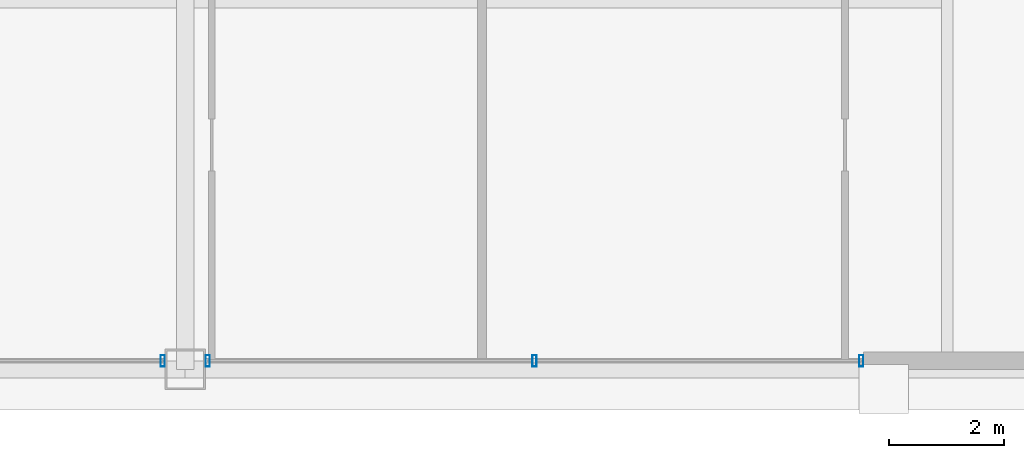
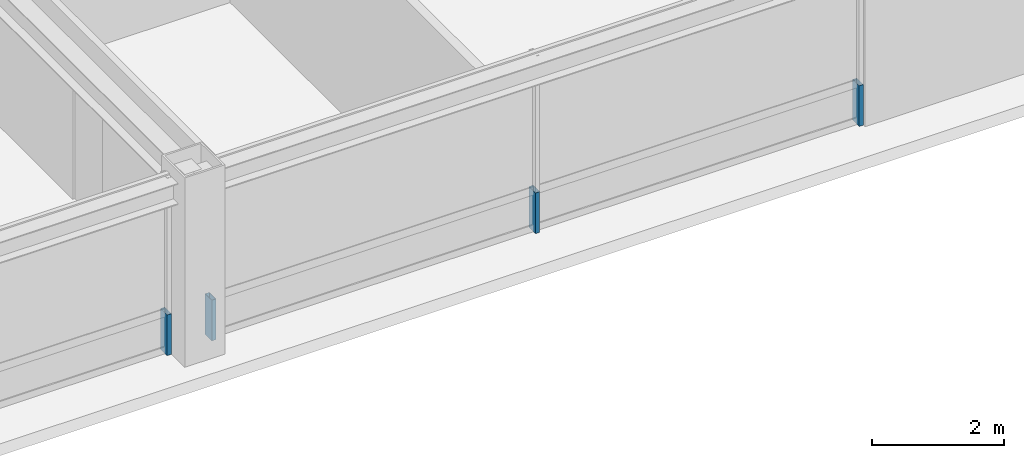
# One storey, part 23 of 35: 4 members, 2 elements without a shape of their own.
"""IFC4 building model written with IfcOpenShell, lengths in metres."""

import ifcopenshell
import ifcopenshell.guid

model = None  # the IFC model being written
_history = None  # IfcOwnerHistory: only IFC2X3 demands one
_inside = {}  # id of a spatial element -> (the spatial element, [elements in it])
_under = {}  # id of a project, library or spatial element -> (it, [spatial elements below it])
_declared = {}  # id of a project -> (the project, [libraries it declares])
_typed = {}  # id of a type object -> (the type object, [elements of that type])
_made_of = {}  # id of a material, layer set ... -> (it, [elements and type objects made of it])


def new_model(schema):
    """Start an empty IFC model of exactly this schema.

    Asked for "IFC4X3", IfcOpenShell would pick the latest addendum, in which some entities
    have other attributes; the version numbers below select the first issue.
    IFC2X3 requires an IfcOwnerHistory on every rooted entity: one is made here for all.
    """
    global model, _history
    if schema == "IFC4X3":
        model = ifcopenshell.file(schema_version=(4, 3, 0, 0))
    else:
        model = ifcopenshell.file(schema=schema)
    _inside.clear()
    _under.clear()
    _declared.clear()
    _typed.clear()
    _made_of.clear()
    _history = None
    if model.schema == "IFC2X3":
        org = make("IfcOrganization", Name="unknown")
        user = make(
            "IfcPersonAndOrganization",
            ThePerson=make("IfcPerson", FamilyName="unknown"),
            TheOrganization=org,
        )
        app = make(
            "IfcApplication",
            ApplicationDeveloper=org,
            Version="unknown",
            ApplicationFullName="unknown",
            ApplicationIdentifier="unknown",
        )
        _history = make(
            "IfcOwnerHistory",
            OwningUser=user,
            OwningApplication=app,
            ChangeAction="ADDED",
            CreationDate=0,
        )
    return model


def make(cls, **values):
    """One entity of the class cls with the attributes given. An attribute that is None is left unset."""
    return model.create_entity(
        cls, **{name: value for name, value in values.items() if value is not None}
    )


def rooted(cls, **values):
    """An entity with a GlobalId (a new one), such as an element, a storey or a relation."""
    return make(cls, GlobalId=ifcopenshell.guid.new(), OwnerHistory=_history, **values)


def si_unit(unit_type, name, prefix=None):
    """IfcSIUnit, for example si_unit("LENGTHUNIT", "METRE", prefix="MILLI")."""
    return make("IfcSIUnit", UnitType=unit_type, Prefix=prefix, Name=name)


def assignment(units):
    """IfcUnitAssignment: the units of a project."""
    return None if units is None else make("IfcUnitAssignment", Units=units)


def point(xyz):
    """IfcCartesianPoint."""
    return None if xyz is None else make("IfcCartesianPoint", Coordinates=xyz)


def direction(xyz):
    """IfcDirection."""
    return None if xyz is None else make("IfcDirection", DirectionRatios=xyz)


def frame(location, z_axis=None, x_axis=None):
    """IfcAxis2Placement3D, a coordinate frame: its origin and axes. An axis left out is left unset."""
    return make(
        "IfcAxis2Placement3D",
        Location=point(location),
        Axis=direction(z_axis),
        RefDirection=direction(x_axis),
    )


def frame_2d(location, x_axis=None):
    """IfcAxis2Placement2D, a coordinate frame in the plane: its origin and x axis."""
    return make(
        "IfcAxis2Placement2D", Location=point(location), RefDirection=direction(x_axis)
    )


def origin():
    """The frame at (0, 0, 0) with its axes left unset."""
    return frame((0.0, 0.0, 0.0))


def origin_2d():
    """The frame at (0, 0) in the plane with its x axis left unset."""
    return frame_2d((0.0, 0.0))


def place(relative_to, where):
    """IfcLocalPlacement: puts the frame where relative to a parent placement (None: the world)."""
    return make(
        "IfcLocalPlacement", PlacementRelTo=relative_to, RelativePlacement=where
    )


def context(
    kind, dimensions, precision=None, world=None, true_north=None, identifier=None
):
    """IfcGeometricRepresentationContext, for example the 3D "Model" context."""
    return make(
        "IfcGeometricRepresentationContext",
        ContextIdentifier=identifier,
        ContextType=kind,
        CoordinateSpaceDimension=dimensions,
        Precision=precision,
        WorldCoordinateSystem=world,
        TrueNorth=true_north,
    )


def subcontext(parent, identifier, kind, view, scale=None):
    """IfcGeometricRepresentationSubContext, for example "Body" below "Model"."""
    return make(
        "IfcGeometricRepresentationSubContext",
        ContextIdentifier=identifier,
        ContextType=kind,
        ParentContext=parent,
        TargetScale=scale,
        TargetView=view,
    )


def project(units=None, contexts=None):
    """IfcProject with its units and contexts."""
    return rooted(
        "IfcProject",
        Name="project",
        RepresentationContexts=contexts,
        UnitsInContext=assignment(units),
    )


def spatial(cls, under=None, at=None, **own):
    """A site, building, storey or space (cls), placed at a placement, below another one or the project."""
    s = rooted(cls, ObjectPlacement=at, **own)
    if under is not None:
        _under.setdefault(under.id(), (under, []))[1].append(s)
    return s


def profile(cls, at=None, kind="AREA", **sizes):
    """A parametric profile (cls). Its sizes go by their IFC names, for example OverallWidth=200.0."""
    return make(cls, ProfileType=kind, Position=at, **sizes)


def hollow_rectangle(**sizes):
    """IfcRectangleHollowProfileDef."""
    return profile("IfcRectangleHollowProfileDef", **sizes)


def extrude(swept, where, along, depth):
    """IfcExtrudedAreaSolid: the profile swept, set in the frame where, extruded along a direction by depth."""
    return make(
        "IfcExtrudedAreaSolid",
        SweptArea=swept,
        Position=where,
        ExtrudedDirection=direction(along),
        Depth=depth,
    )


def shape(context_of_items, identifier, shape_type, items):
    """IfcShapeRepresentation: the items that make up one representation, for example the "Body"."""
    return make(
        "IfcShapeRepresentation",
        ContextOfItems=context_of_items,
        RepresentationIdentifier=identifier,
        RepresentationType=shape_type,
        Items=items,
    )


def source(mapping_origin, context_of_items, identifier, shape_type, items):
    """IfcRepresentationMap: a shape defined once, which mapped items show again and again."""
    return make(
        "IfcRepresentationMap",
        MappingOrigin=mapping_origin,
        MappedRepresentation=shape(context_of_items, identifier, shape_type, items),
    )


def transform(
    local_origin,
    x_axis=None,
    y_axis=None,
    z_axis=None,
    scale=None,
    scale2=None,
    scale3=None,
    uniform=True,
):
    """IfcCartesianTransformationOperator3D, or its non-uniform kind. x_axis, y_axis, z_axis: its Axis1, 2, 3."""
    if uniform:
        return make(
            "IfcCartesianTransformationOperator3D",
            Axis1=direction(x_axis),
            Axis2=direction(y_axis),
            LocalOrigin=point(local_origin),
            Scale=scale,
            Axis3=direction(z_axis),
        )
    return make(
        "IfcCartesianTransformationOperator3DnonUniform",
        Axis1=direction(x_axis),
        Axis2=direction(y_axis),
        LocalOrigin=point(local_origin),
        Scale=scale,
        Axis3=direction(z_axis),
        Scale2=scale2,
        Scale3=scale3,
    )


def mapped(mapping_source, mapping_target):
    """IfcMappedItem: shows the shape of a source again, moved by a transform."""
    return make(
        "IfcMappedItem", MappingSource=mapping_source, MappingTarget=mapping_target
    )


def material(Name=None, Category=None):
    """IfcMaterial."""
    return make("IfcMaterial", Name=Name, Category=Category)


def layer(
    of_material, thickness, ventilated=None, Name=None, Category=None, Priority=None
):
    """IfcMaterialLayer: one layer of a wall or slab, of a material (None: an air gap)."""
    return make(
        "IfcMaterialLayer",
        Material=of_material,
        LayerThickness=thickness,
        IsVentilated=ventilated,
        Name=Name,
        Category=Category,
        Priority=Priority,
    )


def layer_set(layers, Name=None):
    """IfcMaterialLayerSet."""
    return make("IfcMaterialLayerSet", MaterialLayers=layers, LayerSetName=Name)


def material_profile(
    of_material, cross_section, Name=None, Category=None, Priority=None
):
    """IfcMaterialProfile: a cross section and its material."""
    return make(
        "IfcMaterialProfile",
        Name=Name,
        Material=of_material,
        Profile=cross_section,
        Priority=Priority,
        Category=Category,
    )


def profile_set(profiles, Name=None, composite=None):
    """IfcMaterialProfileSet."""
    return make(
        "IfcMaterialProfileSet",
        Name=Name,
        MaterialProfiles=profiles,
        CompositeProfile=composite,
    )


def made_of(thing, what):
    """Note that an element or type object is made of a material, layer set ...; save() writes the relation."""
    if what is not None:
        _made_of.setdefault(what.id(), (what, []))[1].append(thing)
    return thing


def type_object(cls, material=None, **own):
    """A type object (cls), such as IfcWallType, which elements share."""
    return made_of(rooted(cls, **own), material)


def element(
    cls,
    number,
    at=None,
    inside=None,
    cuts=None,
    type_object=None,
    material=None,
    context=None,
    identifier="Body",
    shape_type=None,
    held_by="IfcProductDefinitionShape",
    body=None,
    shapes=None,
    **own,
):
    """One element of the class cls, such as IfcWall. Its Tag is "e" and its number.

    at: its placement. inside: the storey or other place that contains it. cuts: it is an
    opening in that element (IfcRelVoidsElement). A single representation is given by context,
    identifier, shape_type and body (its items); several are given by shapes. held_by: the class
    of the entity that holds the representations. save() writes the other relations.
    """
    e = rooted(cls, Tag="e%d" % number, ObjectPlacement=at, **own)
    if body is not None:
        shapes = [shape(context, identifier, shape_type, body)]
    if shapes is not None:
        e.Representation = make(held_by, Representations=shapes)
    if inside is not None:
        _inside.setdefault(inside.id(), (inside, []))[1].append(e)
    if cuts is not None:
        rooted(
            "IfcRelVoidsElement", RelatingBuildingElement=cuts, RelatedOpeningElement=e
        )
    if type_object is not None:
        _typed.setdefault(type_object.id(), (type_object, []))[1].append(e)
    return made_of(e, material)


def aggregate(whole, parts):
    """IfcRelAggregates: a whole, such as a stair, and the parts it consists of."""
    return rooted("IfcRelAggregates", RelatingObject=whole, RelatedObjects=parts)


def save(model, path):
    """Write the relations noted so far, then the file.

    IfcRelAggregates (storeys below a building ...), IfcRelContainedInSpatialStructure (elements
    in a storey), IfcRelDefinesByType, IfcRelAssociatesMaterial and IfcRelDeclares: one each for
    every whole, place, type object, material and project.
    """
    for whole, parts in _under.values():
        aggregate(whole, parts)
    for where, things in _inside.values():
        rooted(
            "IfcRelContainedInSpatialStructure",
            RelatedElements=things,
            RelatingStructure=where,
        )
    for kind, things in _typed.values():
        rooted("IfcRelDefinesByType", RelatedObjects=things, RelatingType=kind)
    for what, things in _made_of.values():
        rooted("IfcRelAssociatesMaterial", RelatedObjects=things, RelatingMaterial=what)
    for by, libraries in _declared.values():
        rooted("IfcRelDeclares", RelatingContext=by, RelatedDefinitions=libraries)
    model.write(path)


model = new_model("IFC4")

# Units and contexts
model_context = context("Model", 3, precision=1e-05, world=origin(), true_north=direction((0.0, 1.0)))
body_context = subcontext(model_context, "Body", "Model", "MODEL_VIEW")
ifc_project = project(units=[si_unit("LENGTHUNIT", "METRE"), si_unit("AREAUNIT", "SQUARE_METRE"), si_unit("VOLUMEUNIT", "CUBIC_METRE"), si_unit("PLANEANGLEUNIT", "RADIAN"), si_unit("MASSUNIT", "GRAM", prefix="KILO"), si_unit("THERMODYNAMICTEMPERATUREUNIT", "KELVIN"), si_unit("POWERUNIT", "WATT")], contexts=[model_context])

# Site, building, storey
site_placement = place(None, origin())
site = spatial("IfcSite", under=ifc_project, at=site_placement, CompositionType="ELEMENT")
building_placement = place(site_placement, origin())
building = spatial("IfcBuilding", under=site, at=building_placement, Name="Yuzanri Waterfront Tower", CompositionType="ELEMENT")
storey_placement = place(building_placement, frame((0.0, 0.0, 311.199951171875)))
storey = spatial("IfcBuildingStorey", under=building, at=storey_placement, Name="L83", CompositionType="ELEMENT", Elevation=311.199951171875)

# Curtain wall, member
ifc_material_1 = material(Name="Anodized Architectural Bronze", Category="metal")
ifc_layer = layer(ifc_material_1, 0.159912109375)
ifc_layer_set = layer_set([ifc_layer], Name="Anodized Architectural Bronze")
curtain_wall_type = type_object("IfcCurtainWallType", Name="Anodized Bronze High-Rise Penthouse High-Wind Unitized Curtain Wall 6900", PredefinedType="NOTDEFINED", material=ifc_layer_set)
curtain_wall_1_placement = place(storey_placement, origin())
curtain_wall_1 = element("IfcCurtainWall", 1, at=curtain_wall_1_placement, inside=storey, type_object=curtain_wall_type, Name="L83 Curtain Wall CW-L83-SL", PredefinedType="NOTDEFINED")
ifc_material_2 = material(Name="Anodized Architectural Bronze", Category="metal")
ifc_material_profile = material_profile(ifc_material_2, hollow_rectangle(XDim=0.074951171875, YDim=0.199951171875, WallThickness=0.00390625, at=origin_2d()), Name="CWM 75x200")
ifc_profile_set = profile_set([ifc_material_profile], Name="Anodized Architectural Bronze")
member_type = type_object("IfcMemberType", Name="Anodized Bronze Primary Curtain-Wall Mullion 75x200", PredefinedType="MULLION", material=ifc_profile_set)
shared_shape = source(origin(), body_context, "Body", "SweptSolid", [
    extrude(hollow_rectangle(XDim=0.074951171875, YDim=0.199951171875, WallThickness=0.00390625, at=origin_2d()), origin(), (0.0, 0.0, 1.0), 0.751953125),
])
member_1_placement = place(storey_placement, frame((36.610107421875, 6.85009765625, 0.0), z_axis=(0.0, 0.0, 1.0), x_axis=(1.0, 0.0, 0.0)))
member_1 = element("IfcMember", 2, at=member_1_placement, type_object=member_type, Name="CW-L83-SL Lower Mullion 02", PredefinedType="MULLION", context=body_context, shape_type="MappedRepresentation", body=[
    mapped(shared_shape, transform((0.0, 0.0, 0.0), scale=1.0)),
])
aggregate(curtain_wall_1, [member_1])

# Curtain wall, members
curtain_wall_2_placement = place(storey_placement, origin())
curtain_wall_2 = element("IfcCurtainWall", 3, at=curtain_wall_2_placement, inside=storey, type_object=curtain_wall_type, Name="L83 Curtain Wall CW-L83-SR", PredefinedType="NOTDEFINED")
member_2_placement = place(storey_placement, frame((37.389892578125, 6.85009765625, 0.0), z_axis=(0.0, 0.0, 1.0), x_axis=(1.0, 0.0, 0.0)))
member_2 = element("IfcMember", 4, at=member_2_placement, type_object=member_type, Name="CW-L83-SR Lower Mullion 00", PredefinedType="MULLION", context=body_context, shape_type="MappedRepresentation", body=[
    mapped(shared_shape, transform((0.0, 0.0, 0.0), scale=1.0)),
])
member_3_placement = place(storey_placement, frame((43.050048828125, 6.85009765625, 0.0), z_axis=(0.0, 0.0, 1.0), x_axis=(1.0, 0.0, 0.0)))
member_3 = element("IfcMember", 5, at=member_3_placement, type_object=member_type, Name="CW-L83-SR Lower Mullion 01", PredefinedType="MULLION", context=body_context, shape_type="MappedRepresentation", body=[
    mapped(shared_shape, transform((0.0, 0.0, 0.0), scale=1.0)),
])
member_4_placement = place(storey_placement, frame((48.7099609375, 6.85009765625, 0.0), z_axis=(0.0, 0.0, 1.0), x_axis=(1.0, 0.0, 0.0)))
member_4 = element("IfcMember", 6, at=member_4_placement, type_object=member_type, Name="CW-L83-SR Lower Mullion 02", PredefinedType="MULLION", context=body_context, shape_type="MappedRepresentation", body=[
    mapped(shared_shape, transform((0.0, 0.0, 0.0), scale=1.0)),
])
aggregate(curtain_wall_2, [member_2, member_3, member_4])

save(model, "model.ifc")
